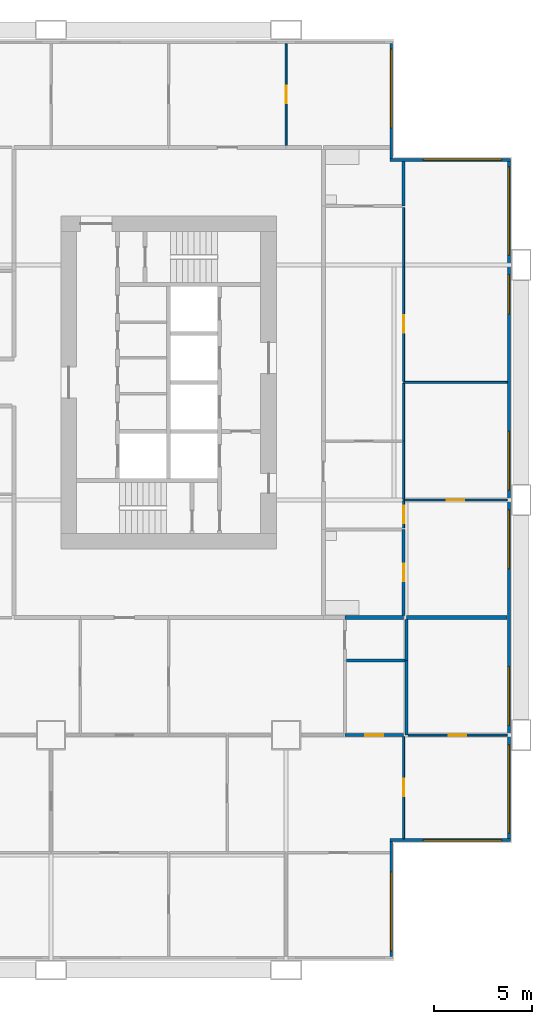
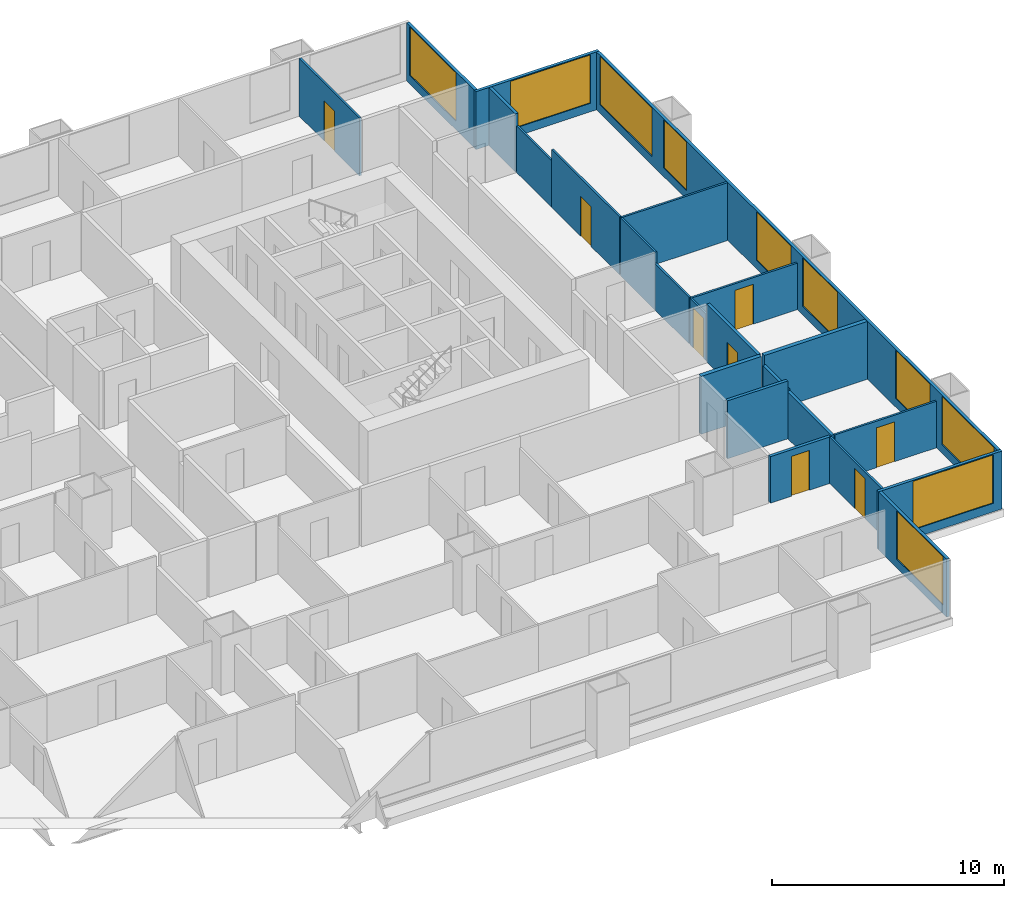
# One storey, part 10 of 13: 23 walls, 10 windows, 8 doors, 18 openings.
"""IFC4 building model written with IfcOpenShell, lengths in metres."""

import ifcopenshell
import ifcopenshell.guid

model = None  # the IFC model being written
_history = None  # IfcOwnerHistory: only IFC2X3 demands one
_inside = {}  # id of a spatial element -> (the spatial element, [elements in it])
_under = {}  # id of a project, library or spatial element -> (it, [spatial elements below it])
_declared = {}  # id of a project -> (the project, [libraries it declares])
_typed = {}  # id of a type object -> (the type object, [elements of that type])
_made_of = {}  # id of a material, layer set ... -> (it, [elements and type objects made of it])


def new_model(schema):
    """Start an empty IFC model of exactly this schema.

    Asked for "IFC4X3", IfcOpenShell would pick the latest addendum, in which some entities
    have other attributes; the version numbers below select the first issue.
    IFC2X3 requires an IfcOwnerHistory on every rooted entity: one is made here for all.
    """
    global model, _history
    if schema == "IFC4X3":
        model = ifcopenshell.file(schema_version=(4, 3, 0, 0))
    else:
        model = ifcopenshell.file(schema=schema)
    _inside.clear()
    _under.clear()
    _declared.clear()
    _typed.clear()
    _made_of.clear()
    _history = None
    if model.schema == "IFC2X3":
        org = make("IfcOrganization", Name="unknown")
        user = make(
            "IfcPersonAndOrganization",
            ThePerson=make("IfcPerson", FamilyName="unknown"),
            TheOrganization=org,
        )
        app = make(
            "IfcApplication",
            ApplicationDeveloper=org,
            Version="unknown",
            ApplicationFullName="unknown",
            ApplicationIdentifier="unknown",
        )
        _history = make(
            "IfcOwnerHistory",
            OwningUser=user,
            OwningApplication=app,
            ChangeAction="ADDED",
            CreationDate=0,
        )
    return model


def make(cls, **values):
    """One entity of the class cls with the attributes given. An attribute that is None is left unset."""
    return model.create_entity(
        cls, **{name: value for name, value in values.items() if value is not None}
    )


def rooted(cls, **values):
    """An entity with a GlobalId (a new one), such as an element, a storey or a relation."""
    return make(cls, GlobalId=ifcopenshell.guid.new(), OwnerHistory=_history, **values)


def si_unit(unit_type, name, prefix=None):
    """IfcSIUnit, for example si_unit("LENGTHUNIT", "METRE", prefix="MILLI")."""
    return make("IfcSIUnit", UnitType=unit_type, Prefix=prefix, Name=name)


def assignment(units):
    """IfcUnitAssignment: the units of a project."""
    return None if units is None else make("IfcUnitAssignment", Units=units)


def point(xyz):
    """IfcCartesianPoint."""
    return None if xyz is None else make("IfcCartesianPoint", Coordinates=xyz)


def direction(xyz):
    """IfcDirection."""
    return None if xyz is None else make("IfcDirection", DirectionRatios=xyz)


def frame(location, z_axis=None, x_axis=None):
    """IfcAxis2Placement3D, a coordinate frame: its origin and axes. An axis left out is left unset."""
    return make(
        "IfcAxis2Placement3D",
        Location=point(location),
        Axis=direction(z_axis),
        RefDirection=direction(x_axis),
    )


def frame_2d(location, x_axis=None):
    """IfcAxis2Placement2D, a coordinate frame in the plane: its origin and x axis."""
    return make(
        "IfcAxis2Placement2D", Location=point(location), RefDirection=direction(x_axis)
    )


def origin():
    """The frame at (0, 0, 0) with its axes left unset."""
    return frame((0.0, 0.0, 0.0))


def place(relative_to, where):
    """IfcLocalPlacement: puts the frame where relative to a parent placement (None: the world)."""
    return make(
        "IfcLocalPlacement", PlacementRelTo=relative_to, RelativePlacement=where
    )


def context(
    kind, dimensions, precision=None, world=None, true_north=None, identifier=None
):
    """IfcGeometricRepresentationContext, for example the 3D "Model" context."""
    return make(
        "IfcGeometricRepresentationContext",
        ContextIdentifier=identifier,
        ContextType=kind,
        CoordinateSpaceDimension=dimensions,
        Precision=precision,
        WorldCoordinateSystem=world,
        TrueNorth=true_north,
    )


def subcontext(parent, identifier, kind, view, scale=None):
    """IfcGeometricRepresentationSubContext, for example "Body" below "Model"."""
    return make(
        "IfcGeometricRepresentationSubContext",
        ContextIdentifier=identifier,
        ContextType=kind,
        ParentContext=parent,
        TargetScale=scale,
        TargetView=view,
    )


def project(units=None, contexts=None):
    """IfcProject with its units and contexts."""
    return rooted(
        "IfcProject",
        Name="project",
        RepresentationContexts=contexts,
        UnitsInContext=assignment(units),
    )


def spatial(cls, under=None, at=None, **own):
    """A site, building, storey or space (cls), placed at a placement, below another one or the project."""
    s = rooted(cls, ObjectPlacement=at, **own)
    if under is not None:
        _under.setdefault(under.id(), (under, []))[1].append(s)
    return s


def profile(cls, at=None, kind="AREA", **sizes):
    """A parametric profile (cls). Its sizes go by their IFC names, for example OverallWidth=200.0."""
    return make(cls, ProfileType=kind, Position=at, **sizes)


def rectangle(**sizes):
    """IfcRectangleProfileDef."""
    return profile("IfcRectangleProfileDef", **sizes)


def extrude(swept, where, along, depth):
    """IfcExtrudedAreaSolid: the profile swept, set in the frame where, extruded along a direction by depth."""
    return make(
        "IfcExtrudedAreaSolid",
        SweptArea=swept,
        Position=where,
        ExtrudedDirection=direction(along),
        Depth=depth,
    )


def shape(context_of_items, identifier, shape_type, items):
    """IfcShapeRepresentation: the items that make up one representation, for example the "Body"."""
    return make(
        "IfcShapeRepresentation",
        ContextOfItems=context_of_items,
        RepresentationIdentifier=identifier,
        RepresentationType=shape_type,
        Items=items,
    )


def material(Name=None, Category=None):
    """IfcMaterial."""
    return make("IfcMaterial", Name=Name, Category=Category)


def layer(
    of_material, thickness, ventilated=None, Name=None, Category=None, Priority=None
):
    """IfcMaterialLayer: one layer of a wall or slab, of a material (None: an air gap)."""
    return make(
        "IfcMaterialLayer",
        Material=of_material,
        LayerThickness=thickness,
        IsVentilated=ventilated,
        Name=Name,
        Category=Category,
        Priority=Priority,
    )


def layer_set(layers, Name=None):
    """IfcMaterialLayerSet."""
    return make("IfcMaterialLayerSet", MaterialLayers=layers, LayerSetName=Name)


def made_of(thing, what):
    """Note that an element or type object is made of a material, layer set ...; save() writes the relation."""
    if what is not None:
        _made_of.setdefault(what.id(), (what, []))[1].append(thing)
    return thing


def type_object(cls, material=None, **own):
    """A type object (cls), such as IfcWallType, which elements share."""
    return made_of(rooted(cls, **own), material)


def element(
    cls,
    number,
    at=None,
    inside=None,
    cuts=None,
    type_object=None,
    material=None,
    context=None,
    identifier="Body",
    shape_type=None,
    held_by="IfcProductDefinitionShape",
    body=None,
    shapes=None,
    **own,
):
    """One element of the class cls, such as IfcWall. Its Tag is "e" and its number.

    at: its placement. inside: the storey or other place that contains it. cuts: it is an
    opening in that element (IfcRelVoidsElement). A single representation is given by context,
    identifier, shape_type and body (its items); several are given by shapes. held_by: the class
    of the entity that holds the representations. save() writes the other relations.
    """
    e = rooted(cls, Tag="e%d" % number, ObjectPlacement=at, **own)
    if body is not None:
        shapes = [shape(context, identifier, shape_type, body)]
    if shapes is not None:
        e.Representation = make(held_by, Representations=shapes)
    if inside is not None:
        _inside.setdefault(inside.id(), (inside, []))[1].append(e)
    if cuts is not None:
        rooted(
            "IfcRelVoidsElement", RelatingBuildingElement=cuts, RelatedOpeningElement=e
        )
    if type_object is not None:
        _typed.setdefault(type_object.id(), (type_object, []))[1].append(e)
    return made_of(e, material)


def fill(opening, filler):
    """IfcRelFillsElement: the door or window that sits in an opening."""
    return rooted(
        "IfcRelFillsElement",
        RelatingOpeningElement=opening,
        RelatedBuildingElement=filler,
    )


def aggregate(whole, parts):
    """IfcRelAggregates: a whole, such as a stair, and the parts it consists of."""
    return rooted("IfcRelAggregates", RelatingObject=whole, RelatedObjects=parts)


def save(model, path):
    """Write the relations noted so far, then the file.

    IfcRelAggregates (storeys below a building ...), IfcRelContainedInSpatialStructure (elements
    in a storey), IfcRelDefinesByType, IfcRelAssociatesMaterial and IfcRelDeclares: one each for
    every whole, place, type object, material and project.
    """
    for whole, parts in _under.values():
        aggregate(whole, parts)
    for where, things in _inside.values():
        rooted(
            "IfcRelContainedInSpatialStructure",
            RelatedElements=things,
            RelatingStructure=where,
        )
    for kind, things in _typed.values():
        rooted("IfcRelDefinesByType", RelatedObjects=things, RelatingType=kind)
    for what, things in _made_of.values():
        rooted("IfcRelAssociatesMaterial", RelatedObjects=things, RelatingMaterial=what)
    for by, libraries in _declared.values():
        rooted("IfcRelDeclares", RelatingContext=by, RelatedDefinitions=libraries)
    model.write(path)


model = new_model("IFC4")

# Units and contexts
model_context = context("Model", 3, precision=1e-05, world=origin(), true_north=direction((0.0, 1.0)))
body_context = subcontext(model_context, "Body", "Model", "MODEL_VIEW")
ifc_project = project(units=[si_unit("LENGTHUNIT", "METRE"), si_unit("AREAUNIT", "SQUARE_METRE"), si_unit("VOLUMEUNIT", "CUBIC_METRE"), si_unit("PLANEANGLEUNIT", "RADIAN"), si_unit("MASSUNIT", "GRAM", prefix="KILO")], contexts=[model_context])

# Site, building, storey
site_placement = place(None, origin())
site = spatial("IfcSite", under=ifc_project, at=site_placement, CompositionType="ELEMENT")
building_placement = place(site_placement, origin())
building = spatial("IfcBuilding", under=site, at=building_placement, Name="Kitamizu Gate Tower and Museum", CompositionType="ELEMENT")
storey_placement = place(building_placement, frame((0.0, 0.0, 81.75)))
storey = spatial("IfcBuildingStorey", under=building, at=storey_placement, Name="L20", CompositionType="ELEMENT", Elevation=81.75)

# Wall, opening, door
ifc_material_1 = material(Name="Gypsum board on galvanised stud")
ifc_layer_1 = layer(ifc_material_1, 0.10009765625)
ifc_layer_set_1 = layer_set([ifc_layer_1], Name="Gypsum board on galvanised stud")
wall_type_1 = type_object("IfcWallType", Name="Partition 100 NOT RATED", PredefinedType="PARTITIONING", material=ifc_layer_set_1)
wall_1_placement = place(storey_placement, frame((66.0, 6.719970703125, 0.0), z_axis=(0.0, 0.0, 1.0), x_axis=(0.0, 1.0, 0.0)))
wall_1 = element("IfcWall", 1, at=wall_1_placement, inside=storey, type_object=wall_type_1, Name="Partition L20-140", PredefinedType="PARTITIONING", context=body_context, shape_type="SweptSolid", body=[
    extrude(rectangle(XDim=5.205078125, YDim=0.10009765625, at=frame_2d((2.6025390625, 0.0))), origin(), (0.0, 0.0, 1.0), 2.449951171875),
])
opening_1_placement = place(wall_1_placement, frame((2.152587890625, 0.0, 0.0)))
opening_1 = element("IfcOpeningElement", 2, at=opening_1_placement, cuts=wall_1, Name="Opening L20-047", PredefinedType="OPENING", context=body_context, shape_type="SweptSolid", body=[
    extrude(rectangle(XDim=0.89990234375, YDim=2.10009765625, at=frame_2d((0.449951171875, 1.050048828125))), frame((0.0, 0.06005859375, 0.0), z_axis=(0.0, -1.0, 0.0), x_axis=(1.0, 0.0, 0.0)), (0.0, 0.0, 1.0), 0.1201171875),
])
ifc_material_2 = material(Name="Timber door set", Category="wood")
door_type_1 = type_object("IfcDoorType", Name="Room door 900", OperationType="NOTDEFINED", PredefinedType="DOOR", material=ifc_material_2)
door_1_placement = place(opening_1_placement, origin())
door_1 = element("IfcDoor", 3, at=door_1_placement, inside=storey, type_object=door_type_1, Name="Door L20-047", OperationType="SINGLE_SWING_RIGHT", OverallHeight=2.10009765625, OverallWidth=0.89990234375, PredefinedType="DOOR", context=body_context, shape_type="SweptSolid", body=[
    extrude(rectangle(XDim=0.89990234375, YDim=2.10009765625, at=frame_2d((0.449951171875, 1.050048828125))), frame((0.0, 0.02490234375, 0.0), z_axis=(0.0, -1.0, 0.0), x_axis=(1.0, 0.0, 0.0)), (0.0, 0.0, 1.0), 0.050048828125),
])
fill(opening_1, door_1)

wall_2_placement = place(storey_placement, frame((71.280029296875, 12.0, 0.0), z_axis=(0.0, 0.0, 1.0), x_axis=(-1.0, 0.0, 0.0)))
wall_2 = element("IfcWall", 4, at=wall_2_placement, inside=storey, type_object=wall_type_1, Name="Partition L20-144", PredefinedType="PARTITIONING", context=body_context, shape_type="SweptSolid", body=[
    extrude(rectangle(XDim=5.05908203125, YDim=0.10009765625, at=frame_2d((2.529541015625, 0.0))), origin(), (0.0, 0.0, 1.0), 2.449951171875),
])
opening_2_placement = place(wall_2_placement, frame((2.07958984375, 0.0, 0.0)))
opening_2 = element("IfcOpeningElement", 5, at=opening_2_placement, cuts=wall_2, Name="Opening L20-054", PredefinedType="OPENING", context=body_context, shape_type="SweptSolid", body=[
    extrude(rectangle(XDim=0.89990234375, YDim=2.10009765625, at=frame_2d((0.449951171875, 1.050048828125))), frame((0.0, 0.06005859375, 0.0), z_axis=(0.0, -1.0, 0.0), x_axis=(1.0, 0.0, 0.0)), (0.0, 0.0, 1.0), 0.1201171875),
])
door_2_placement = place(opening_2_placement, frame((0.89990234375, 0.0, 0.0), x_axis=(-1.0, 0.0, 0.0)))
door_2 = element("IfcDoor", 6, at=door_2_placement, inside=storey, type_object=door_type_1, Name="Door L20-054", OperationType="SINGLE_SWING_LEFT", OverallHeight=2.10009765625, OverallWidth=0.89990234375, PredefinedType="DOOR", context=body_context, shape_type="SweptSolid", body=[
    extrude(rectangle(XDim=0.89990234375, YDim=2.10009765625, at=frame_2d((0.449951171875, 1.050048828125))), frame((0.0, 0.02490234375, 0.0), z_axis=(0.0, -1.0, 0.0), x_axis=(1.0, 0.0, 0.0)), (0.0, 0.0, 1.0), 0.050048828125),
])
fill(opening_2, door_2)

wall_3_placement = place(storey_placement, frame((71.280029296875, 24.0, 0.0), z_axis=(0.0, 0.0, 1.0), x_axis=(-1.0, 0.0, 0.0)))
wall_3 = element("IfcWall", 7, at=wall_3_placement, inside=storey, type_object=wall_type_1, Name="Partition L20-169", PredefinedType="PARTITIONING", context=body_context, shape_type="SweptSolid", body=[
    extrude(rectangle(XDim=5.280029296875, YDim=0.10009765625, at=frame_2d((2.64013671875, 0.0))), origin(), (0.0, 0.0, 1.0), 2.449951171875),
])
opening_3_placement = place(wall_3_placement, frame((2.18994140625, 0.0, 0.0)))
opening_3 = element("IfcOpeningElement", 8, at=opening_3_placement, cuts=wall_3, Name="Opening L20-063", PredefinedType="OPENING", context=body_context, shape_type="SweptSolid", body=[
    extrude(rectangle(XDim=0.89990234375, YDim=2.10009765625, at=frame_2d((0.449951171875, 1.050048828125))), frame((0.0, 0.06005859375, 0.0), z_axis=(0.0, -1.0, 0.0), x_axis=(1.0, 0.0, 0.0)), (0.0, 0.0, 1.0), 0.1201171875),
])
door_3_placement = place(opening_3_placement, origin())
door_3 = element("IfcDoor", 9, at=door_3_placement, inside=storey, type_object=door_type_1, Name="Door L20-063", OperationType="SINGLE_SWING_LEFT", OverallHeight=2.10009765625, OverallWidth=0.89990234375, PredefinedType="DOOR", context=body_context, shape_type="SweptSolid", body=[
    extrude(rectangle(XDim=0.89990234375, YDim=2.10009765625, at=frame_2d((0.449951171875, 1.050048828125))), frame((0.0, 0.02490234375, 0.0), z_axis=(0.0, -1.0, 0.0), x_axis=(1.0, 0.0, 0.0)), (0.0, 0.0, 1.0), 0.050048828125),
])
fill(opening_3, door_3)

wall_4_placement = place(storey_placement, frame((66.0, 23.949951171875, 0.0), z_axis=(0.0, 0.0, 1.0), x_axis=(0.0, -1.0, 0.0)))
wall_4 = element("IfcWall", 10, at=wall_4_placement, inside=storey, type_object=wall_type_1, Name="Partition L20-171", PredefinedType="PARTITIONING", context=body_context, shape_type="SweptSolid", body=[
    extrude(rectangle(XDim=1.375, YDim=0.10009765625, at=frame_2d((0.6875, 0.0))), origin(), (0.0, 0.0, 1.0), 2.449951171875),
])
opening_4_placement = place(wall_4_placement, frame((0.237548828125, 0.0, 0.0)))
opening_4 = element("IfcOpeningElement", 11, at=opening_4_placement, cuts=wall_4, Name="Opening L20-060", PredefinedType="OPENING", context=body_context, shape_type="SweptSolid", body=[
    extrude(rectangle(XDim=0.89990234375, YDim=2.10009765625, at=frame_2d((0.449951171875, 1.050048828125))), frame((0.0, 0.06005859375, 0.0), z_axis=(0.0, -1.0, 0.0), x_axis=(1.0, 0.0, 0.0)), (0.0, 0.0, 1.0), 0.1201171875),
])
door_4_placement = place(opening_4_placement, origin())
door_4 = element("IfcDoor", 12, at=door_4_placement, inside=storey, type_object=door_type_1, Name="Door L20-060", OperationType="SINGLE_SWING_RIGHT", OverallHeight=2.10009765625, OverallWidth=0.89990234375, PredefinedType="DOOR", context=body_context, shape_type="SweptSolid", body=[
    extrude(rectangle(XDim=0.89990234375, YDim=2.10009765625, at=frame_2d((0.449951171875, 1.050048828125))), frame((0.0, 0.02490234375, 0.0), z_axis=(0.0, -1.0, 0.0), x_axis=(1.0, 0.0, 0.0)), (0.0, 0.0, 1.0), 0.050048828125),
])
fill(opening_4, door_4)

# Walls
wall_5_placement = place(storey_placement, frame((71.280029296875, 30.0, 0.0), z_axis=(0.0, 0.0, 1.0), x_axis=(-1.0, 0.0, 0.0)))
element("IfcWall", 13, at=wall_5_placement, inside=storey, type_object=wall_type_1, Name="Partition L20-172", PredefinedType="PARTITIONING", context=body_context, shape_type="SweptSolid", body=[
    extrude(rectangle(XDim=5.280029296875, YDim=0.10009765625, at=frame_2d((2.64013671875, 0.0))), origin(), (0.0, 0.0, 1.0), 3.050048828125),
])
wall_6_placement = place(storey_placement, frame((66.0, 27.0, 0.0), z_axis=(0.0, 0.0, 1.0), x_axis=(0.0, -1.0, 0.0)))
element("IfcWall", 14, at=wall_6_placement, inside=storey, type_object=wall_type_1, Name="Partition L20-173", PredefinedType="PARTITIONING", context=body_context, shape_type="SweptSolid", body=[
    extrude(rectangle(XDim=2.949951171875, YDim=0.10009765625, at=frame_2d((1.47509765625, 0.0))), origin(), (0.0, 0.0, 1.0), 2.449951171875),
])
wall_7_placement = place(storey_placement, frame((66.0, 29.949951171875, 0.0), z_axis=(0.0, 0.0, 1.0), x_axis=(0.0, -1.0, 0.0)))
element("IfcWall", 15, at=wall_7_placement, inside=storey, type_object=wall_type_1, Name="Partition L20-174", PredefinedType="PARTITIONING", context=body_context, shape_type="SweptSolid", body=[
    extrude(rectangle(XDim=2.949951171875, YDim=0.10009765625, at=frame_2d((1.47509765625, 0.0))), origin(), (0.0, 0.0, 1.0), 3.050048828125),
])
wall_8_placement = place(storey_placement, frame((66.0, 38.925048828125, 0.0), z_axis=(0.0, 0.0, 1.0), x_axis=(0.0, -1.0, 0.0)))
element("IfcWall", 16, at=wall_8_placement, inside=storey, type_object=wall_type_1, Name="Partition L20-175", PredefinedType="PARTITIONING", context=body_context, shape_type="SweptSolid", body=[
    extrude(rectangle(XDim=3.025146484375, YDim=0.10009765625, at=frame_2d((1.5126953125, 0.0))), origin(), (0.0, 0.0, 1.0), 2.449951171875),
])

# Wall, opening, door
wall_9_placement = place(storey_placement, frame((66.0, 35.89990234375, 0.0), z_axis=(0.0, 0.0, 1.0), x_axis=(0.0, -1.0, 0.0)))
wall_9 = element("IfcWall", 17, at=wall_9_placement, inside=storey, type_object=wall_type_1, Name="Partition L20-176", PredefinedType="PARTITIONING", context=body_context, shape_type="SweptSolid", body=[
    extrude(rectangle(XDim=5.849853515625, YDim=0.10009765625, at=frame_2d((2.9248046875, 0.0))), origin(), (0.0, 0.0, 1.0), 3.050048828125),
])
opening_5_placement = place(wall_9_placement, frame((2.47509765625, 0.0, 0.0)))
opening_5 = element("IfcOpeningElement", 18, at=opening_5_placement, cuts=wall_9, Name="Opening L20-062", PredefinedType="OPENING", context=body_context, shape_type="SweptSolid", body=[
    extrude(rectangle(XDim=0.89990234375, YDim=2.10009765625, at=frame_2d((0.449951171875, 1.050048828125))), frame((0.0, 0.06005859375, 0.0), z_axis=(0.0, -1.0, 0.0), x_axis=(1.0, 0.0, 0.0)), (0.0, 0.0, 1.0), 0.1201171875),
])
door_5_placement = place(opening_5_placement, origin())
door_5 = element("IfcDoor", 19, at=door_5_placement, inside=storey, type_object=door_type_1, Name="Door L20-062", OperationType="SINGLE_SWING_RIGHT", OverallHeight=2.10009765625, OverallWidth=0.89990234375, PredefinedType="DOOR", context=body_context, shape_type="SweptSolid", body=[
    extrude(rectangle(XDim=0.89990234375, YDim=2.10009765625, at=frame_2d((0.449951171875, 1.050048828125))), frame((0.0, 0.02490234375, 0.0), z_axis=(0.0, -1.0, 0.0), x_axis=(1.0, 0.0, 0.0)), (0.0, 0.0, 1.0), 0.050048828125),
])
fill(opening_5, door_5)

wall_10_placement = place(storey_placement, frame((60.0, 42.10009765625, 0.0), z_axis=(0.0, 0.0, 1.0), x_axis=(0.0, 1.0, 0.0)))
wall_10 = element("IfcWall", 20, at=wall_10_placement, inside=storey, type_object=wall_type_1, Name="Partition L20-198", PredefinedType="PARTITIONING", context=body_context, shape_type="SweptSolid", body=[
    extrude(rectangle(XDim=5.179931640625, YDim=0.10009765625, at=frame_2d((2.58984375, 0.0))), origin(), (0.0, 0.0, 1.0), 3.050048828125),
])
opening_6_placement = place(wall_10_placement, frame((2.139892578125, 0.0, 0.0)))
opening_6 = element("IfcOpeningElement", 21, at=opening_6_placement, cuts=wall_10, Name="Opening L20-067", PredefinedType="OPENING", context=body_context, shape_type="SweptSolid", body=[
    extrude(rectangle(XDim=0.89990234375, YDim=2.10009765625, at=frame_2d((0.449951171875, 1.050048828125))), frame((0.0, 0.06005859375, 0.0), z_axis=(0.0, -1.0, 0.0), x_axis=(1.0, 0.0, 0.0)), (0.0, 0.0, 1.0), 0.1201171875),
])
door_6_placement = place(opening_6_placement, frame((0.89990234375, 0.0, 0.0), x_axis=(-1.0, 0.0, 0.0)))
door_6 = element("IfcDoor", 22, at=door_6_placement, inside=storey, type_object=door_type_1, Name="Door L20-067", OperationType="SINGLE_SWING_RIGHT", OverallHeight=2.10009765625, OverallWidth=0.89990234375, PredefinedType="DOOR", context=body_context, shape_type="SweptSolid", body=[
    extrude(rectangle(XDim=0.89990234375, YDim=2.10009765625, at=frame_2d((0.449951171875, 1.050048828125))), frame((0.0, 0.02490234375, 0.0), z_axis=(0.0, -1.0, 0.0), x_axis=(1.0, 0.0, 0.0)), (0.0, 0.0, 1.0), 0.050048828125),
])
fill(opening_6, door_6)

ifc_material_3 = material(Name="Gypsum board on galvanised stud")
ifc_layer_2 = layer(ifc_material_3, 0.14990234375)
ifc_layer_set_2 = layer_set([ifc_layer_2], Name="Gypsum board on galvanised stud")
wall_type_2 = type_object("IfcWallType", Name="Partition 150", PredefinedType="PARTITIONING", material=ifc_layer_set_2)
wall_11_placement = place(storey_placement, frame((66.0, 12.0, 0.0), z_axis=(0.0, 0.0, 1.0), x_axis=(-1.0, 0.0, 0.0)))
wall_11 = element("IfcWall", 23, at=wall_11_placement, inside=storey, type_object=wall_type_2, Name="Partition L20-143", PredefinedType="PARTITIONING", context=body_context, shape_type="SweptSolid", body=[
    extrude(rectangle(XDim=3.0, YDim=0.14990234375, at=frame_2d((1.5, 0.0))), origin(), (0.0, 0.0, 1.0), 2.449951171875),
])
opening_7_placement = place(wall_11_placement, frame((1.050048828125, 0.0, 0.0)))
opening_7 = element("IfcOpeningElement", 24, at=opening_7_placement, cuts=wall_11, Name="Opening L20-055", PredefinedType="OPENING", context=body_context, shape_type="SweptSolid", body=[
    extrude(rectangle(XDim=0.89990234375, YDim=2.10009765625, at=frame_2d((0.449951171875, 1.050048828125))), frame((0.0, 0.0849609375, 0.0), z_axis=(0.0, -1.0, 0.0), x_axis=(1.0, 0.0, 0.0)), (0.0, 0.0, 1.0), 0.169921875),
])
ifc_material_4 = material(Name="Timber door set", Category="wood")
door_type_2 = type_object("IfcDoorType", Name="Bathroom door 900", OperationType="NOTDEFINED", PredefinedType="DOOR", material=ifc_material_4)
door_7_placement = place(opening_7_placement, frame((0.89990234375, 0.0, 0.0), x_axis=(-1.0, 0.0, 0.0)))
door_7 = element("IfcDoor", 25, at=door_7_placement, inside=storey, type_object=door_type_2, Name="Bathroom door L20-055", OperationType="SINGLE_SWING_RIGHT", OverallHeight=2.10009765625, OverallWidth=0.89990234375, PredefinedType="DOOR", context=body_context, shape_type="SweptSolid", body=[
    extrude(rectangle(XDim=0.89990234375, YDim=2.10009765625, at=frame_2d((0.449951171875, 1.050048828125))), frame((0.0, 0.02490234375, 0.0), z_axis=(0.0, -1.0, 0.0), x_axis=(1.0, 0.0, 0.0)), (0.0, 0.0, 1.0), 0.050048828125),
])
fill(opening_7, door_7)

# Walls
wall_12_placement = place(storey_placement, frame((66.14599609375, 15.81396484375, 0.0), z_axis=(0.0, 0.0, 1.0), x_axis=(0.0, -1.0, 0.0)))
element("IfcWall", 26, at=wall_12_placement, inside=storey, type_object=wall_type_2, Name="Partition L20-157", PredefinedType="PARTITIONING", context=body_context, shape_type="SweptSolid", body=[
    extrude(rectangle(XDim=3.81396484375, YDim=0.14990234375, at=frame_2d((1.906982421875, 0.0))), origin(), (0.0, 0.0, 1.0), 2.449951171875),
])
wall_13_placement = place(storey_placement, frame((66.14599609375, 17.89990234375, 0.0), z_axis=(0.0, 0.0, 1.0), x_axis=(0.0, -1.0, 0.0)))
element("IfcWall", 27, at=wall_13_placement, inside=storey, type_object=wall_type_2, Name="Partition L20-158", PredefinedType="PARTITIONING", context=body_context, shape_type="SweptSolid", body=[
    extrude(rectangle(XDim=2.0859375, YDim=0.14990234375, at=frame_2d((1.04296875, 0.0))), origin(), (0.0, 0.0, 1.0), 2.550048828125),
])
wall_14_placement = place(storey_placement, frame((66.071044921875, 15.81396484375, 0.0), z_axis=(0.0, 0.0, 1.0), x_axis=(-1.0, 0.0, 0.0)))
element("IfcWall", 28, at=wall_14_placement, inside=storey, type_object=wall_type_2, Name="Partition L20-160", PredefinedType="PARTITIONING", context=body_context, shape_type="SweptSolid", body=[
    extrude(rectangle(XDim=2.99609375, YDim=0.14990234375, at=frame_2d((1.498046875, 0.0))), origin(), (0.0, 0.0, 1.0), 3.050048828125),
])

# Wall, opening, door
wall_15_placement = place(storey_placement, frame((66.0, 22.5, 0.0), z_axis=(0.0, 0.0, 1.0), x_axis=(0.0, -1.0, 0.0)))
wall_15 = element("IfcWall", 29, at=wall_15_placement, inside=storey, type_object=wall_type_2, Name="Partition L20-170", PredefinedType="PARTITIONING", context=body_context, shape_type="SweptSolid", body=[
    extrude(rectangle(XDim=4.39990234375, YDim=0.14990234375, at=frame_2d((2.199951171875, 0.0))), origin(), (0.0, 0.0, 1.0), 3.050048828125),
])
opening_8_placement = place(wall_15_placement, frame((1.75, 0.0, 0.0)))
opening_8 = element("IfcOpeningElement", 30, at=opening_8_placement, cuts=wall_15, Name="Opening L20-064", PredefinedType="OPENING", context=body_context, shape_type="SweptSolid", body=[
    extrude(rectangle(XDim=0.89990234375, YDim=2.10009765625, at=frame_2d((0.449951171875, 1.050048828125))), frame((0.0, 0.0849609375, 0.0), z_axis=(0.0, -1.0, 0.0), x_axis=(1.0, 0.0, 0.0)), (0.0, 0.0, 1.0), 0.169921875),
])
door_8_placement = place(opening_8_placement, frame((0.89990234375, 0.0, 0.0), x_axis=(-1.0, 0.0, 0.0)))
door_8 = element("IfcDoor", 31, at=door_8_placement, inside=storey, type_object=door_type_2, Name="Bathroom door L20-064", OperationType="SINGLE_SWING_LEFT", OverallHeight=2.10009765625, OverallWidth=0.89990234375, PredefinedType="DOOR", context=body_context, shape_type="SweptSolid", body=[
    extrude(rectangle(XDim=0.89990234375, YDim=2.10009765625, at=frame_2d((0.449951171875, 1.050048828125))), frame((0.0, 0.02490234375, 0.0), z_axis=(0.0, -1.0, 0.0), x_axis=(1.0, 0.0, 0.0)), (0.0, 0.0, 1.0), 0.050048828125),
])
fill(opening_8, door_8)

# Walls
wall_16_placement = place(storey_placement, frame((66.0, 41.280029296875, 0.0), z_axis=(0.0, 0.0, 1.0), x_axis=(0.0, -1.0, 0.0)))
element("IfcWall", 32, at=wall_16_placement, inside=storey, type_object=wall_type_2, Name="Partition L20-177", PredefinedType="PARTITIONING", context=body_context, shape_type="SweptSolid", body=[
    extrude(rectangle(XDim=2.280029296875, YDim=0.14990234375, at=frame_2d((1.14013671875, 0.0))), origin(), (0.0, 0.0, 1.0), 3.050048828125),
])
ifc_material_5 = material(Name="Gypsum board on galvanised stud")
ifc_layer_3 = layer(ifc_material_5, 0.199951171875)
ifc_layer_set_3 = layer_set([ifc_layer_3], Name="Gypsum board on galvanised stud")
wall_type_3 = type_object("IfcWallType", Name="Partition 200", PredefinedType="PARTITIONING", material=ifc_layer_set_3)
wall_17_placement = place(storey_placement, frame((71.280029296875, 18.0, 0.0), z_axis=(0.0, 0.0, 1.0), x_axis=(-1.0, 0.0, 0.0)))
element("IfcWall", 33, at=wall_17_placement, inside=storey, type_object=wall_type_3, Name="Partition L20-159", PredefinedType="PARTITIONING", context=body_context, shape_type="SweptSolid", body=[
    extrude(rectangle(XDim=5.134033203125, YDim=0.199951171875, at=frame_2d((2.56689453125, 0.0))), origin(), (0.0, 0.0, 1.0), 3.050048828125),
])
wall_18_placement = place(storey_placement, frame((66.0, 18.0, 0.0), z_axis=(0.0, 0.0, 1.0), x_axis=(-1.0, 0.0, 0.0)))
element("IfcWall", 34, at=wall_18_placement, inside=storey, type_object=wall_type_3, Name="Partition L20-161", PredefinedType="PARTITIONING", context=body_context, shape_type="SweptSolid", body=[
    extrude(rectangle(XDim=3.0, YDim=0.199951171875, at=frame_2d((1.5, 0.0))), origin(), (0.0, 0.0, 1.0), 3.050048828125),
])

# Wall, opening, window
ifc_material_6 = material(Name="Bronze anodised aluminium frame with insulated spandrel and tinted glass", Category="aluminium")
ifc_layer_4 = layer(ifc_material_6, 0.14990234375)
ifc_layer_set_4 = layer_set([ifc_layer_4], Name="Bronze anodised aluminium frame with insulated spandrel and tinted glass")
wall_type_4 = type_object("IfcWallType", Name="WINDOW WALL 150 BRONZE FRAME EI 30", PredefinedType="ELEMENTEDWALL", material=ifc_layer_set_4)
wall_19_placement = place(storey_placement, frame((65.364990234375, 0.7099609375, 0.0), z_axis=(0.0, 0.0, 1.0), x_axis=(0.0, 1.0, 0.0)))
wall_19 = element("IfcWall", 35, at=wall_19_placement, inside=storey, type_object=wall_type_4, Name="Window wall east L20", PredefinedType="ELEMENTEDWALL", context=body_context, shape_type="SweptSolid", body=[
    extrude(rectangle(XDim=5.85009765625, YDim=0.14990234375, at=frame_2d((2.925048828125, 0.0))), origin(), (0.0, 0.0, 1.0), 3.050048828125),
])
opening_9_placement = place(wall_19_placement, frame((0.2900390625, 0.0, 0.449951171875)))
opening_9 = element("IfcOpeningElement", 36, at=opening_9_placement, cuts=wall_19, Name="Opening W16", PredefinedType="OPENING", context=body_context, shape_type="SweptSolid", body=[
    extrude(rectangle(XDim=4.0, YDim=2.550048828125, at=frame_2d((2.0, 1.27490234375))), frame((0.0, 0.0849609375, 0.0), z_axis=(0.0, -1.0, 0.0), x_axis=(1.0, 0.0, 0.0)), (0.0, 0.0, 1.0), 0.169921875),
])
ifc_material_7 = material(Name="Bronze anodised aluminium frame, tinted triple glazing", Category="aluminium")
window_type_1 = type_object("IfcWindowType", Name="WINDOW 4000 x 2550 SILL 450", PartitioningType="SINGLE_PANEL", PredefinedType="WINDOW", material=ifc_material_7)
window_1_placement = place(opening_9_placement, origin())
window_1 = element("IfcWindow", 37, at=window_1_placement, inside=storey, type_object=window_type_1, Name="Window W16 L20", OverallHeight=2.550048828125, OverallWidth=4.0, PartitioningType="SINGLE_PANEL", PredefinedType="WINDOW", context=body_context, shape_type="SweptSolid", body=[
    extrude(rectangle(XDim=4.0, YDim=2.550048828125, at=frame_2d((2.0, 1.27490234375))), frame((0.0, 0.030029296875, 0.0), z_axis=(0.0, -1.0, 0.0), x_axis=(1.0, 0.0, 0.0)), (0.0, 0.0, 1.0), 0.06005859375),
])
fill(opening_9, window_1)

wall_20_placement = place(storey_placement, frame((65.2900390625, 6.635009765625, 0.0), z_axis=(0.0, 0.0, 1.0), x_axis=(1.0, 0.0, 0.0)))
wall_20 = element("IfcWall", 38, at=wall_20_placement, inside=storey, type_object=wall_type_4, Name="Window wall south L20", PredefinedType="ELEMENTEDWALL", context=body_context, shape_type="SweptSolid", body=[
    extrude(rectangle(XDim=6.14990234375, YDim=0.14990234375, at=frame_2d((3.074951171875, 0.0))), origin(), (0.0, 0.0, 1.0), 3.050048828125),
])
opening_10_placement = place(wall_20_placement, frame((1.7099609375, 0.0, 0.449951171875)))
opening_10 = element("IfcOpeningElement", 39, at=opening_10_placement, cuts=wall_20, Name="Opening W16", PredefinedType="OPENING", context=body_context, shape_type="SweptSolid", body=[
    extrude(rectangle(XDim=4.0, YDim=2.550048828125, at=frame_2d((2.0, 1.27490234375))), frame((0.0, 0.0849609375, 0.0), z_axis=(0.0, -1.0, 0.0), x_axis=(1.0, 0.0, 0.0)), (0.0, 0.0, 1.0), 0.169921875),
])
window_2_placement = place(opening_10_placement, origin())
window_2 = element("IfcWindow", 40, at=window_2_placement, inside=storey, type_object=window_type_1, Name="Window W16 L20", OverallHeight=2.550048828125, OverallWidth=4.0, PartitioningType="SINGLE_PANEL", PredefinedType="WINDOW", context=body_context, shape_type="SweptSolid", body=[
    extrude(rectangle(XDim=4.0, YDim=2.550048828125, at=frame_2d((2.0, 1.27490234375))), frame((0.0, 0.030029296875, 0.0), z_axis=(0.0, -1.0, 0.0), x_axis=(1.0, 0.0, 0.0)), (0.0, 0.0, 1.0), 0.06005859375),
])
fill(opening_10, window_2)

# Wall, openings, windows
wall_21_placement = place(storey_placement, frame((71.364990234375, 6.7099609375, 0.0), z_axis=(0.0, 0.0, 1.0), x_axis=(0.0, 1.0, 0.0)))
wall_21 = element("IfcWall", 41, at=wall_21_placement, inside=storey, type_object=wall_type_4, Name="Window wall east L20", PredefinedType="ELEMENTEDWALL", context=body_context, shape_type="SweptSolid", body=[
    extrude(rectangle(XDim=34.580078125, YDim=0.14990234375, at=frame_2d((17.2900390625, 0.0))), origin(), (0.0, 0.0, 1.0), 3.050048828125),
])
opening_11_placement = place(wall_21_placement, frame((0.2900390625, 0.0, 0.449951171875)))
opening_11 = element("IfcOpeningElement", 42, at=opening_11_placement, cuts=wall_21, Name="Opening W15", PredefinedType="OPENING", context=body_context, shape_type="SweptSolid", body=[
    extrude(rectangle(XDim=4.5, YDim=2.550048828125, at=frame_2d((2.25, 1.27490234375))), frame((0.0, 0.0849609375, 0.0), z_axis=(0.0, -1.0, 0.0), x_axis=(1.0, 0.0, 0.0)), (0.0, 0.0, 1.0), 0.169921875),
])
opening_12_placement = place(wall_21_placement, frame((5.7900390625, 0.0, 0.449951171875)))
opening_12 = element("IfcOpeningElement", 43, at=opening_12_placement, cuts=wall_21, Name="Opening W33", PredefinedType="OPENING", context=body_context, shape_type="SweptSolid", body=[
    extrude(rectangle(XDim=3.0, YDim=2.550048828125, at=frame_2d((1.5, 1.27490234375))), frame((0.0, 0.0849609375, 0.0), z_axis=(0.0, -1.0, 0.0), x_axis=(1.0, 0.0, 0.0)), (0.0, 0.0, 1.0), 0.169921875),
])
opening_13_placement = place(wall_21_placement, frame((13.7900390625, 0.0, 0.449951171875)))
opening_13 = element("IfcOpeningElement", 44, at=opening_13_placement, cuts=wall_21, Name="Opening W33", PredefinedType="OPENING", context=body_context, shape_type="SweptSolid", body=[
    extrude(rectangle(XDim=3.0, YDim=2.550048828125, at=frame_2d((1.5, 1.27490234375))), frame((0.0, 0.0849609375, 0.0), z_axis=(0.0, -1.0, 0.0), x_axis=(1.0, 0.0, 0.0)), (0.0, 0.0, 1.0), 0.169921875),
])
opening_14_placement = place(wall_21_placement, frame((17.7900390625, 0.0, 0.449951171875)))
opening_14 = element("IfcOpeningElement", 45, at=opening_14_placement, cuts=wall_21, Name="Opening W33", PredefinedType="OPENING", context=body_context, shape_type="SweptSolid", body=[
    extrude(rectangle(XDim=3.0, YDim=2.550048828125, at=frame_2d((1.5, 1.27490234375))), frame((0.0, 0.0849609375, 0.0), z_axis=(0.0, -1.0, 0.0), x_axis=(1.0, 0.0, 0.0)), (0.0, 0.0, 1.0), 0.169921875),
])
opening_15_placement = place(wall_21_placement, frame((26.7900390625, 0.0, 0.449951171875)))
opening_15 = element("IfcOpeningElement", 46, at=opening_15_placement, cuts=wall_21, Name="Opening W2", PredefinedType="OPENING", context=body_context, shape_type="SweptSolid", body=[
    extrude(rectangle(XDim=2.0, YDim=2.550048828125, at=frame_2d((1.0, 1.27490234375))), frame((0.0, 0.0849609375, 0.0), z_axis=(0.0, -1.0, 0.0), x_axis=(1.0, 0.0, 0.0)), (0.0, 0.0, 1.0), 0.169921875),
])
opening_16_placement = place(wall_21_placement, frame((29.7900390625, 0.0, 0.449951171875)))
opening_16 = element("IfcOpeningElement", 47, at=opening_16_placement, cuts=wall_21, Name="Opening W15", PredefinedType="OPENING", context=body_context, shape_type="SweptSolid", body=[
    extrude(rectangle(XDim=4.5, YDim=2.550048828125, at=frame_2d((2.25, 1.27490234375))), frame((0.0, 0.0849609375, 0.0), z_axis=(0.0, -1.0, 0.0), x_axis=(1.0, 0.0, 0.0)), (0.0, 0.0, 1.0), 0.169921875),
])
ifc_material_8 = material(Name="Bronze anodised aluminium frame, tinted triple glazing", Category="aluminium")
window_type_2 = type_object("IfcWindowType", Name="WINDOW 2000 x 2550 SILL 450", PartitioningType="SINGLE_PANEL", PredefinedType="WINDOW", material=ifc_material_8)
window_3_placement = place(opening_15_placement, origin())
window_3 = element("IfcWindow", 48, at=window_3_placement, inside=storey, type_object=window_type_2, Name="Window W2 L20", OverallHeight=2.550048828125, OverallWidth=2.0, PartitioningType="SINGLE_PANEL", PredefinedType="WINDOW", context=body_context, shape_type="SweptSolid", body=[
    extrude(rectangle(XDim=2.0, YDim=2.550048828125, at=frame_2d((1.0, 1.27490234375))), frame((0.0, 0.030029296875, 0.0), z_axis=(0.0, -1.0, 0.0), x_axis=(1.0, 0.0, 0.0)), (0.0, 0.0, 1.0), 0.06005859375),
])
fill(opening_15, window_3)
ifc_material_9 = material(Name="Bronze anodised aluminium frame, tinted triple glazing", Category="aluminium")
window_type_3 = type_object("IfcWindowType", Name="WINDOW 3000 x 2550 SILL 450", PartitioningType="SINGLE_PANEL", PredefinedType="WINDOW", material=ifc_material_9)
window_4_placement = place(opening_12_placement, origin())
window_4 = element("IfcWindow", 49, at=window_4_placement, inside=storey, type_object=window_type_3, Name="Window W33 L20", OverallHeight=2.550048828125, OverallWidth=3.0, PartitioningType="SINGLE_PANEL", PredefinedType="WINDOW", context=body_context, shape_type="SweptSolid", body=[
    extrude(rectangle(XDim=3.0, YDim=2.550048828125, at=frame_2d((1.5, 1.27490234375))), frame((0.0, 0.030029296875, 0.0), z_axis=(0.0, -1.0, 0.0), x_axis=(1.0, 0.0, 0.0)), (0.0, 0.0, 1.0), 0.06005859375),
])
fill(opening_12, window_4)
window_5_placement = place(opening_13_placement, origin())
window_5 = element("IfcWindow", 50, at=window_5_placement, inside=storey, type_object=window_type_3, Name="Window W33 L20", OverallHeight=2.550048828125, OverallWidth=3.0, PartitioningType="SINGLE_PANEL", PredefinedType="WINDOW", context=body_context, shape_type="SweptSolid", body=[
    extrude(rectangle(XDim=3.0, YDim=2.550048828125, at=frame_2d((1.5, 1.27490234375))), frame((0.0, 0.030029296875, 0.0), z_axis=(0.0, -1.0, 0.0), x_axis=(1.0, 0.0, 0.0)), (0.0, 0.0, 1.0), 0.06005859375),
])
fill(opening_13, window_5)
window_6_placement = place(opening_14_placement, origin())
window_6 = element("IfcWindow", 51, at=window_6_placement, inside=storey, type_object=window_type_3, Name="Window W33 L20", OverallHeight=2.550048828125, OverallWidth=3.0, PartitioningType="SINGLE_PANEL", PredefinedType="WINDOW", context=body_context, shape_type="SweptSolid", body=[
    extrude(rectangle(XDim=3.0, YDim=2.550048828125, at=frame_2d((1.5, 1.27490234375))), frame((0.0, 0.030029296875, 0.0), z_axis=(0.0, -1.0, 0.0), x_axis=(1.0, 0.0, 0.0)), (0.0, 0.0, 1.0), 0.06005859375),
])
fill(opening_14, window_6)
ifc_material_10 = material(Name="Bronze anodised aluminium frame, tinted triple glazing", Category="aluminium")
window_type_4 = type_object("IfcWindowType", Name="WINDOW 4500 x 2550 SILL 450", PartitioningType="SINGLE_PANEL", PredefinedType="WINDOW", material=ifc_material_10)
window_7_placement = place(opening_11_placement, origin())
window_7 = element("IfcWindow", 52, at=window_7_placement, inside=storey, type_object=window_type_4, Name="Window W15 L20", OverallHeight=2.550048828125, OverallWidth=4.5, PartitioningType="SINGLE_PANEL", PredefinedType="WINDOW", context=body_context, shape_type="SweptSolid", body=[
    extrude(rectangle(XDim=4.5, YDim=2.550048828125, at=frame_2d((2.25, 1.27490234375))), frame((0.0, 0.030029296875, 0.0), z_axis=(0.0, -1.0, 0.0), x_axis=(1.0, 0.0, 0.0)), (0.0, 0.0, 1.0), 0.06005859375),
])
fill(opening_11, window_7)
window_8_placement = place(opening_16_placement, origin())
window_8 = element("IfcWindow", 53, at=window_8_placement, inside=storey, type_object=window_type_4, Name="Window W15 L20", OverallHeight=2.550048828125, OverallWidth=4.5, PartitioningType="SINGLE_PANEL", PredefinedType="WINDOW", context=body_context, shape_type="SweptSolid", body=[
    extrude(rectangle(XDim=4.5, YDim=2.550048828125, at=frame_2d((2.25, 1.27490234375))), frame((0.0, 0.030029296875, 0.0), z_axis=(0.0, -1.0, 0.0), x_axis=(1.0, 0.0, 0.0)), (0.0, 0.0, 1.0), 0.06005859375),
])
fill(opening_16, window_8)

# Wall, opening, window
wall_22_placement = place(storey_placement, frame((65.2900390625, 41.364990234375, 0.0), z_axis=(0.0, 0.0, 1.0), x_axis=(1.0, 0.0, 0.0)))
wall_22 = element("IfcWall", 54, at=wall_22_placement, inside=storey, type_object=wall_type_4, Name="Window wall north L20", PredefinedType="ELEMENTEDWALL", context=body_context, shape_type="SweptSolid", body=[
    extrude(rectangle(XDim=6.14990234375, YDim=0.14990234375, at=frame_2d((3.074951171875, 0.0))), origin(), (0.0, 0.0, 1.0), 3.050048828125),
])
opening_17_placement = place(wall_22_placement, frame((1.7099609375, 0.0, 0.449951171875)))
opening_17 = element("IfcOpeningElement", 55, at=opening_17_placement, cuts=wall_22, Name="Opening W16", PredefinedType="OPENING", context=body_context, shape_type="SweptSolid", body=[
    extrude(rectangle(XDim=4.0, YDim=2.550048828125, at=frame_2d((2.0, 1.27490234375))), frame((0.0, 0.0849609375, 0.0), z_axis=(0.0, -1.0, 0.0), x_axis=(1.0, 0.0, 0.0)), (0.0, 0.0, 1.0), 0.169921875),
])
window_9_placement = place(opening_17_placement, origin())
window_9 = element("IfcWindow", 56, at=window_9_placement, inside=storey, type_object=window_type_1, Name="Window W16 L20", OverallHeight=2.550048828125, OverallWidth=4.0, PartitioningType="SINGLE_PANEL", PredefinedType="WINDOW", context=body_context, shape_type="SweptSolid", body=[
    extrude(rectangle(XDim=4.0, YDim=2.550048828125, at=frame_2d((2.0, 1.27490234375))), frame((0.0, 0.030029296875, 0.0), z_axis=(0.0, -1.0, 0.0), x_axis=(1.0, 0.0, 0.0)), (0.0, 0.0, 1.0), 0.06005859375),
])
fill(opening_17, window_9)

wall_23_placement = place(storey_placement, frame((65.364990234375, 41.43994140625, 0.0), z_axis=(0.0, 0.0, 1.0), x_axis=(0.0, 1.0, 0.0)))
wall_23 = element("IfcWall", 57, at=wall_23_placement, inside=storey, type_object=wall_type_4, Name="Window wall east L20", PredefinedType="ELEMENTEDWALL", context=body_context, shape_type="SweptSolid", body=[
    extrude(rectangle(XDim=5.85009765625, YDim=0.14990234375, at=frame_2d((2.925048828125, 0.0))), origin(), (0.0, 0.0, 1.0), 3.050048828125),
])
opening_18_placement = place(wall_23_placement, frame((1.56005859375, 0.0, 0.449951171875)))
opening_18 = element("IfcOpeningElement", 58, at=opening_18_placement, cuts=wall_23, Name="Opening W16", PredefinedType="OPENING", context=body_context, shape_type="SweptSolid", body=[
    extrude(rectangle(XDim=4.0, YDim=2.550048828125, at=frame_2d((2.0, 1.27490234375))), frame((0.0, 0.0849609375, 0.0), z_axis=(0.0, -1.0, 0.0), x_axis=(1.0, 0.0, 0.0)), (0.0, 0.0, 1.0), 0.169921875),
])
window_10_placement = place(opening_18_placement, origin())
window_10 = element("IfcWindow", 59, at=window_10_placement, inside=storey, type_object=window_type_1, Name="Window W16 L20", OverallHeight=2.550048828125, OverallWidth=4.0, PartitioningType="SINGLE_PANEL", PredefinedType="WINDOW", context=body_context, shape_type="SweptSolid", body=[
    extrude(rectangle(XDim=4.0, YDim=2.550048828125, at=frame_2d((2.0, 1.27490234375))), frame((0.0, 0.030029296875, 0.0), z_axis=(0.0, -1.0, 0.0), x_axis=(1.0, 0.0, 0.0)), (0.0, 0.0, 1.0), 0.06005859375),
])
fill(opening_18, window_10)

save(model, "model.ifc")
